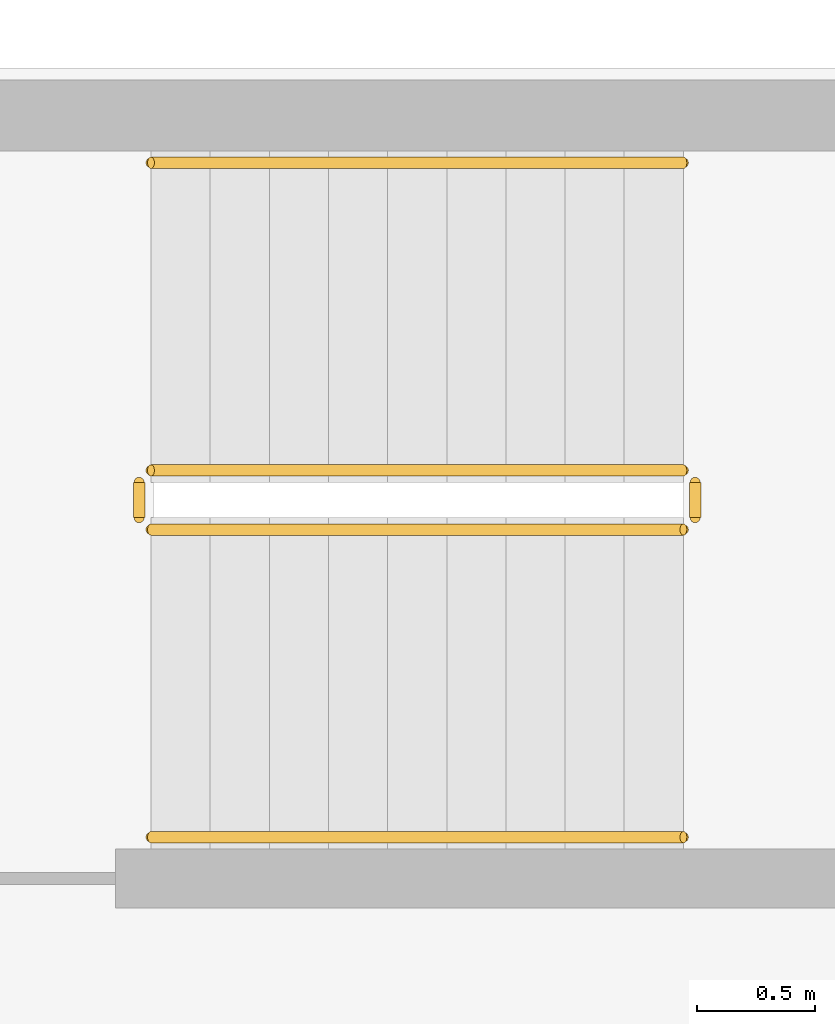
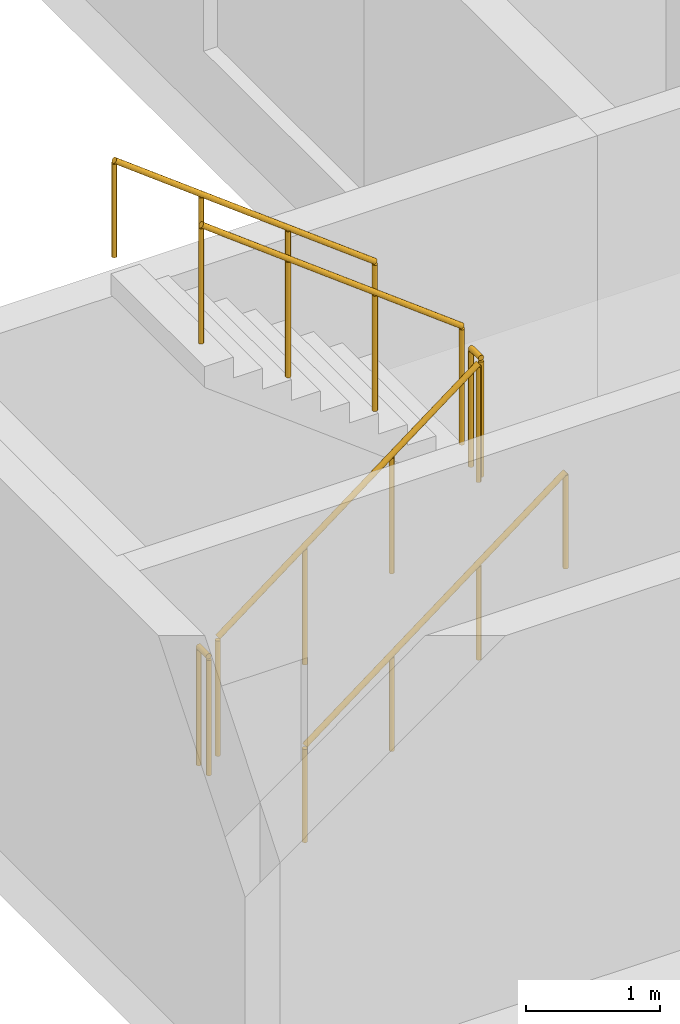
# One storey, part 12 of 12: 6 railings.
"""IFC4 building model written with IfcOpenShell, lengths in metres."""

from ifc_helpers import new_model, si_unit, direction, frame, origin, origin_2d, place, context, subcontext, project, spatial, circle, extrude, source, transform, mapped, material, type_object, element, save


model = new_model("IFC4")

# Units and contexts
model_context = context("Model", 3, precision=1e-05, world=origin(), true_north=direction((0.0, 1.0)))
body_context = subcontext(model_context, "Body", "Model", "MODEL_VIEW")
ifc_project = project(units=[si_unit("LENGTHUNIT", "METRE"), si_unit("AREAUNIT", "SQUARE_METRE"), si_unit("VOLUMEUNIT", "CUBIC_METRE"), si_unit("PLANEANGLEUNIT", "RADIAN"), si_unit("MASSUNIT", "GRAM", prefix="KILO")], contexts=[model_context])

# Site, building, storey
site_placement = place(None, origin())
site = spatial("IfcSite", under=ifc_project, at=site_placement, CompositionType="ELEMENT")
building_placement = place(site_placement, origin())
building = spatial("IfcBuilding", under=site, at=building_placement, Name="Aurelian Terraces", CompositionType="ELEMENT")
storey_placement = place(building_placement, frame((0.0, 0.0, 219.6)))
storey = spatial("IfcBuildingStorey", under=building, at=storey_placement, Name="L49", CompositionType="ELEMENT", Elevation=219.6)

# Railings
ifc_material = material(Name="Stainless steel", Category="steel")
railing_type_1 = type_object("IfcRailingType", Name="Stair guard 1100", PredefinedType="GUARDRAIL", material=ifc_material)
shared_shape_1 = source(origin(), body_context, "Body", "SweptSolid", [
    extrude(circle(Radius=0.024, at=origin_2d()), frame((0.0, 0.0, 1.076), z_axis=(0.0, 1.0, 0.0), x_axis=(-1.0, 0.0, 0.0)), (0.0, 0.0, 1.0), 0.15),
    extrude(circle(Radius=0.021, at=origin_2d()), origin(), (0.0, 0.0, 1.0), 1.052),
    extrude(circle(Radius=0.021, at=origin_2d()), frame((0.0, 0.15, 0.0)), (0.0, 0.0, 1.0), 1.052),
])
for number, where, name in (
    (1, (4.4, 42.05, 1.9), "L49 S3 stair guard 2"),
    (2, (2.05, 42.05, 0.0), "L49 S3 stair guard 4"),
):
    element("IfcRailing", number, at=place(storey_placement, frame(where)), inside=storey, type_object=railing_type_1, Name=name, PredefinedType="GUARDRAIL", context=body_context, shape_type="MappedRepresentation", body=[
        mapped(shared_shape_1, transform((0.0, 0.0, 0.0), scale=1.0)),
    ])
shared_shape_2 = source(origin(), body_context, "Body", "SweptSolid", [
    extrude(circle(Radius=0.024, at=origin_2d()), frame((0.0, 0.0, 1.076), z_axis=(0.796162194123, 0.0, 0.605083267534), x_axis=(0.0, 1.0, 0.0)), (0.0, 0.0, 1.0), 2.8261),
    extrude(circle(Radius=0.021, at=origin_2d()), origin(), (0.0, 0.0, 1.0), 1.052),
    extrude(circle(Radius=0.021, at=origin_2d()), frame((0.75, 0.0, 0.57)), (0.0, 0.0, 1.0), 1.052),
    extrude(circle(Radius=0.021, at=origin_2d()), frame((1.5, 0.0, 1.14)), (0.0, 0.0, 1.0), 1.052),
    extrude(circle(Radius=0.021, at=origin_2d()), frame((2.25, 0.0, 1.71)), (0.0, 0.0, 1.0), 1.052),
])
railing_1_placement = place(storey_placement, frame((2.1, 42.0, 0.19)))
element("IfcRailing", 3, at=railing_1_placement, inside=storey, type_object=railing_type_1, Name="L49 S3 stair guard 1", PredefinedType="GUARDRAIL", context=body_context, shape_type="MappedRepresentation", body=[
    mapped(shared_shape_2, transform((0.0, 0.0, 0.0), scale=1.0)),
])
shared_shape_3 = source(origin(), body_context, "Body", "SweptSolid", [
    extrude(circle(Radius=0.024, at=origin_2d()), frame((0.0, 0.0, 1.076), z_axis=(-0.796162194123, 0.0, 0.605083267534), x_axis=(0.0, -1.0, 0.0)), (0.0, 0.0, 1.0), 2.8261),
    extrude(circle(Radius=0.021, at=origin_2d()), origin(), (0.0, 0.0, 1.0), 1.052),
    extrude(circle(Radius=0.021, at=origin_2d()), frame((-0.75, 0.0, 0.57)), (0.0, 0.0, 1.0), 1.052),
    extrude(circle(Radius=0.021, at=origin_2d()), frame((-1.5, 0.0, 1.14)), (0.0, 0.0, 1.0), 1.052),
    extrude(circle(Radius=0.021, at=origin_2d()), frame((-2.25, 0.0, 1.71)), (0.0, 0.0, 1.0), 1.052),
])
railing_2_placement = place(storey_placement, frame((4.35, 42.25, 2.09)))
element("IfcRailing", 4, at=railing_2_placement, inside=storey, type_object=railing_type_1, Name="L49 S3 stair guard 3", PredefinedType="GUARDRAIL", context=body_context, shape_type="MappedRepresentation", body=[
    mapped(shared_shape_3, transform((0.0, 0.0, 0.0), scale=1.0)),
])
railing_type_2 = type_object("IfcRailingType", Name="Stair handrail", PredefinedType="HANDRAIL", material=ifc_material)
shared_shape_4 = source(origin(), body_context, "Body", "SweptSolid", [
    extrude(circle(Radius=0.024, at=origin_2d()), frame((0.0, 0.0, 0.876), z_axis=(0.796162194123, 0.0, 0.605083267534), x_axis=(0.0, 1.0, 0.0)), (0.0, 0.0, 1.0), 2.8261),
    extrude(circle(Radius=0.021, at=origin_2d()), origin(), (0.0, 0.0, 1.0), 0.852),
    extrude(circle(Radius=0.021, at=origin_2d()), frame((0.75, 0.0, 0.57)), (0.0, 0.0, 1.0), 0.852),
    extrude(circle(Radius=0.021, at=origin_2d()), frame((1.5, 0.0, 1.14)), (0.0, 0.0, 1.0), 0.852),
    extrude(circle(Radius=0.021, at=origin_2d()), frame((2.25, 0.0, 1.71)), (0.0, 0.0, 1.0), 0.852),
])
railing_3_placement = place(storey_placement, frame((2.1, 40.7, 0.19)))
element("IfcRailing", 5, at=railing_3_placement, inside=storey, type_object=railing_type_2, Name="L49 S3 stair handrail 1", PredefinedType="HANDRAIL", context=body_context, shape_type="MappedRepresentation", body=[
    mapped(shared_shape_4, transform((0.0, 0.0, 0.0), scale=1.0)),
])
shared_shape_5 = source(origin(), body_context, "Body", "SweptSolid", [
    extrude(circle(Radius=0.024, at=origin_2d()), frame((0.0, 0.0, 0.876), z_axis=(-0.796162194123, 0.0, 0.605083267534), x_axis=(0.0, -1.0, 0.0)), (0.0, 0.0, 1.0), 2.8261),
    extrude(circle(Radius=0.021, at=origin_2d()), origin(), (0.0, 0.0, 1.0), 0.852),
    extrude(circle(Radius=0.021, at=origin_2d()), frame((-0.75, 0.0, 0.57)), (0.0, 0.0, 1.0), 0.852),
    extrude(circle(Radius=0.021, at=origin_2d()), frame((-1.5, 0.0, 1.14)), (0.0, 0.0, 1.0), 0.852),
    extrude(circle(Radius=0.021, at=origin_2d()), frame((-2.25, 0.0, 1.71)), (0.0, 0.0, 1.0), 0.852),
])
railing_4_placement = place(storey_placement, frame((4.35, 43.55, 2.09)))
element("IfcRailing", 6, at=railing_4_placement, inside=storey, type_object=railing_type_2, Name="L49 S3 stair handrail 2", PredefinedType="HANDRAIL", context=body_context, shape_type="MappedRepresentation", body=[
    mapped(shared_shape_5, transform((0.0, 0.0, 0.0), scale=1.0)),
])

save(model, "model.ifc")
